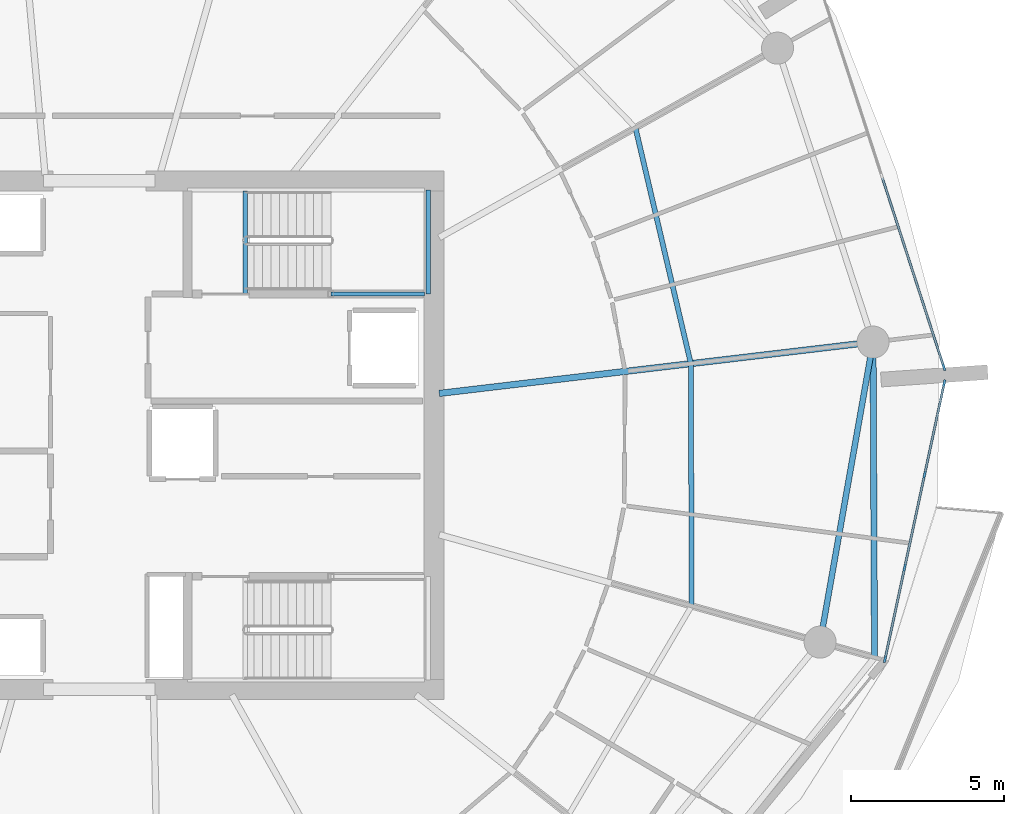
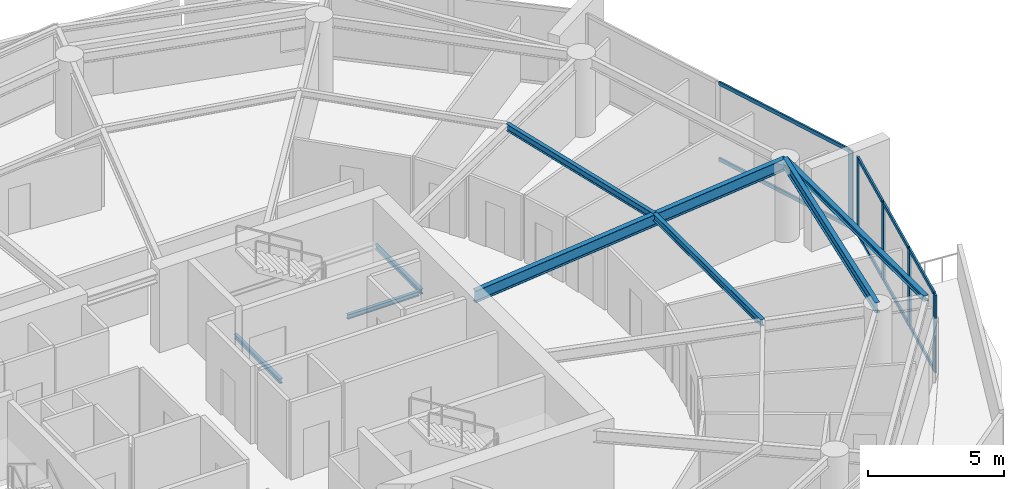
# One storey, part 7 of 20: 13 members, 8 beams, 2 elements without a shape of their own.
"""IFC4 building model written with IfcOpenShell, lengths in metres."""

from ifc_helpers import new_model, si_unit, direction, frame, origin, origin_2d, place, context, subcontext, project, spatial, rectangle, i_section, extrude, material, layer, layer_set, material_profile, profile_set, type_object, element, aggregate, save


model = new_model("IFC4")

# Units and contexts
model_context = context("Model", 3, precision=1e-05, world=origin(), true_north=direction((0.0, 1.0)))
body_context = subcontext(model_context, "Body", "Model", "MODEL_VIEW")
ifc_project = project(units=[si_unit("LENGTHUNIT", "METRE"), si_unit("AREAUNIT", "SQUARE_METRE"), si_unit("VOLUMEUNIT", "CUBIC_METRE"), si_unit("PLANEANGLEUNIT", "RADIAN"), si_unit("MASSUNIT", "GRAM", prefix="KILO")], contexts=[model_context])

# Site, building, storey
site_placement = place(None, origin())
site = spatial("IfcSite", under=ifc_project, at=site_placement, CompositionType="ELEMENT")
building_placement = place(site_placement, origin())
building = spatial("IfcBuilding", under=site, at=building_placement, Name="Kazma Halo Residences", CompositionType="ELEMENT")
storey_placement = place(building_placement, frame((0.0, 0.0, 217.800048828125)))
storey = spatial("IfcBuildingStorey", under=building, at=storey_placement, Name="L55", CompositionType="ELEMENT", Elevation=217.800048828125)

# Beams
ifc_material_1 = material(Name="Steel S355", Category="steel")
ifc_material_profile_1 = material_profile(ifc_material_1, i_section(OverallWidth=0.201904296875, OverallDepth=0.2470703125, WebThickness=0.00732421875, FlangeThickness=0.010986328125, FilletRadius=0.011962890625, at=origin_2d()), Name="W250x49.1")
ifc_profile_set_1 = profile_set([ifc_material_profile_1], Name="Steel S355")
beam_type_1 = type_object("IfcBeamType", Name="BM-BAL-CANT", PredefinedType="BEAM", material=ifc_profile_set_1)
beam_1_placement = place(storey_placement, frame((73.80029296875, 34.723388671875, 3.37646484375), z_axis=(-0.004705663334, 0.999988928305, 0.0), x_axis=(-0.999988928305, -0.004705663334, 0.0)))
element("IfcBeam", 1, at=beam_1_placement, inside=storey, type_object=beam_type_1, Name="L55 wave-balcony tie beam 15", PredefinedType="BEAM", context=body_context, shape_type="SweptSolid", body=[
    extrude(i_section(OverallWidth=0.201904296875, OverallDepth=0.2470703125, WebThickness=0.00732421875, FlangeThickness=0.010986328125, FilletRadius=0.011962890625, at=origin_2d()), origin(), (0.0, 0.0, 1.0), 10.324462890625),
])
ifc_material_profile_2 = material_profile(ifc_material_1, i_section(OverallWidth=0.208984375, OverallDepth=0.532958984375, WebThickness=0.01025390625, FlangeThickness=0.015625, FilletRadius=0.01611328125, at=origin_2d()), Name="W530x92")
ifc_profile_set_2 = profile_set([ifc_material_profile_2], Name="Steel S355")
beam_type_2 = type_object("IfcBeamType", Name="BM-RAD-W530", PredefinedType="BEAM", material=ifc_profile_set_2)
beam_2_placement = place(storey_placement, frame((59.550048828125, 43.366943359375, 3.2333984375), z_axis=(0.993068204292, 0.117539532174, 0.0), x_axis=(-0.117539532174, 0.993068204292, 0.0)))
element("IfcBeam", 2, at=beam_2_placement, inside=storey, type_object=beam_type_2, Name="L55 radial floor beam 16", PredefinedType="BEAM", context=body_context, shape_type="SweptSolid", body=[
    extrude(i_section(OverallWidth=0.208984375, OverallDepth=0.532958984375, WebThickness=0.01025390625, FlangeThickness=0.015625, FilletRadius=0.01611328125, at=origin_2d()), origin(), (0.0, 0.0, 1.0), 14.30078125),
])
ifc_material_profile_3 = material_profile(ifc_material_1, i_section(OverallWidth=0.1650390625, OverallDepth=0.31005859375, WebThickness=0.005859375, FlangeThickness=0.009765625, FilletRadius=0.011962890625, at=origin_2d()), Name="W310x38.7")
ifc_profile_set_3 = profile_set([ifc_material_profile_3], Name="Steel S355")
beam_type_3 = type_object("IfcBeamType", Name="BM-SEC-W310B", PredefinedType="JOIST", material=ifc_profile_set_3)
beam_3_placement = place(storey_placement, frame((67.815185546875, 36.41162109375, 3.344970703125), z_axis=(-0.003540400199, 0.999993732764, 0.0), x_axis=(-0.999993732764, -0.003540400199, 0.0)))
element("IfcBeam", 3, at=beam_3_placement, inside=storey, type_object=beam_type_3, Name="L55 circumferential floor joist 15", PredefinedType="JOIST", context=body_context, shape_type="SweptSolid", body=[
    extrude(i_section(OverallWidth=0.1650390625, OverallDepth=0.31005859375, WebThickness=0.005859375, FlangeThickness=0.009765625, FilletRadius=0.011962890625, at=origin_2d()), origin(), (0.0, 0.0, 1.0), 7.93017578125),
])
beam_4_placement = place(storey_placement, frame((67.787109375, 44.341796875, 3.344970703125), z_axis=(-0.228572787048, 0.973526826041, 0.0), x_axis=(-0.973526826041, -0.228572787048, 0.0)))
element("IfcBeam", 4, at=beam_4_placement, inside=storey, type_object=beam_type_3, Name="L55 circumferential floor joist 16", PredefinedType="JOIST", context=body_context, shape_type="SweptSolid", body=[
    extrude(i_section(OverallWidth=0.1650390625, OverallDepth=0.31005859375, WebThickness=0.005859375, FlangeThickness=0.009765625, FilletRadius=0.011962890625, at=origin_2d()), origin(), (0.0, 0.0, 1.0), 7.933837890625),
])
ifc_material_profile_4 = material_profile(ifc_material_1, i_section(OverallWidth=0.18994140625, OverallDepth=0.45703125, WebThickness=0.009033203125, FlangeThickness=0.014404296875, FilletRadius=0.01611328125, at=origin_2d()), Name="W460x74")
ifc_profile_set_4 = profile_set([ifc_material_profile_4], Name="Steel S355")
beam_type_4 = type_object("IfcBeamType", Name="BM-SPN-W460", PredefinedType="BEAM", material=ifc_profile_set_4)
beam_5_placement = place(storey_placement, frame((72.019775390625, 35.2255859375, 3.271484375), z_axis=(0.173648484202, 0.984807698962, 0.0), x_axis=(-0.984807698962, 0.173648484202, 0.0)))
element("IfcBeam", 5, at=beam_5_placement, inside=storey, type_object=beam_type_4, Name="L55 perimeter ring beam 15", PredefinedType="BEAM", context=body_context, shape_type="SweptSolid", body=[
    extrude(i_section(OverallWidth=0.18994140625, OverallDepth=0.45703125, WebThickness=0.009033203125, FlangeThickness=0.014404296875, FilletRadius=0.01611328125, at=origin_2d()), origin(), (0.0, 0.0, 1.0), 9.973876953125),
])
ifc_material_profile_5 = material_profile(ifc_material_1, i_section(OverallWidth=0.133056640625, OverallDepth=0.20703125, WebThickness=0.005859375, FlangeThickness=0.00830078125, FilletRadius=0.010009765625, at=origin_2d()), Name="W200x26.6")
ifc_profile_set_5 = profile_set([ifc_material_profile_5], Name="Steel S355")
beam_type_5 = type_object("IfcBeamType", Name="BM-TRIM-W200", PredefinedType="BEAM", material=ifc_profile_set_5)
beam_6_placement = place(storey_placement, frame((53.199951171875, 46.6201171875, -0.360107421875), z_axis=(0.0, 1.0, 0.0), x_axis=(-1.0, 0.0, 0.0)))
element("IfcBeam", 6, at=beam_6_placement, inside=storey, type_object=beam_type_5, Name="L55 ST-02 floor landing support beam", PredefinedType="BEAM", context=body_context, shape_type="SweptSolid", body=[
    extrude(i_section(OverallWidth=0.133056640625, OverallDepth=0.20703125, WebThickness=0.005859375, FlangeThickness=0.00830078125, FilletRadius=0.010009765625, at=origin_2d()), origin(), (0.0, 0.0, 1.0), 3.3798828125),
])
beam_7_placement = place(storey_placement, frame((56.0, 46.6201171875, 1.570068359375), z_axis=(1.0, 0.0, 0.0), x_axis=(0.0, 1.0, 0.0)))
element("IfcBeam", 7, at=beam_7_placement, inside=storey, type_object=beam_type_5, Name="L55 ST-02 landing south wall ledger", PredefinedType="BEAM", context=body_context, shape_type="SweptSolid", body=[
    extrude(i_section(OverallWidth=0.133056640625, OverallDepth=0.20703125, WebThickness=0.005859375, FlangeThickness=0.00830078125, FilletRadius=0.010009765625, at=origin_2d()), origin(), (0.0, 0.0, 1.0), 3.070068359375),
])
beam_8_placement = place(storey_placement, frame((59.18994140625, 46.6201171875, 1.570068359375), z_axis=(0.0, 1.0, 0.0), x_axis=(-1.0, 0.0, 0.0)))
element("IfcBeam", 8, at=beam_8_placement, inside=storey, type_object=beam_type_5, Name="L55 ST-02 landing end wall ledger", PredefinedType="BEAM", context=body_context, shape_type="SweptSolid", body=[
    extrude(i_section(OverallWidth=0.133056640625, OverallDepth=0.20703125, WebThickness=0.005859375, FlangeThickness=0.00830078125, FilletRadius=0.010009765625, at=origin_2d()), origin(), (0.0, 0.0, 1.0), 3.39990234375),
])

# Curtain wall, members
ifc_material_2 = material(Name="Aluminium AW-6063 T6 and Triple-Silver Low-E Glass", Category="aluminium")
ifc_layer = layer(ifc_material_2, 0.219970703125)
ifc_layer_set = layer_set([ifc_layer], Name="Aluminium AW-6063 T6 and Triple-Silver Low-E Glass")
curtain_wall_type = type_object("IfcCurtainWallType", Name="CW-SYS-4", PredefinedType="NOTDEFINED", material=ifc_layer_set)
curtain_wall_1_placement = place(storey_placement, origin())
curtain_wall_1 = element("IfcCurtainWall", 9, at=curtain_wall_1_placement, inside=storey, type_object=curtain_wall_type, Name="L55 unitised curtain wall B15", PredefinedType="NOTDEFINED")
ifc_material_3 = material(Name="Aluminium AW-6063 T6", Category="aluminium")
ifc_material_profile_6 = material_profile(ifc_material_3, rectangle(XDim=0.074951171875, YDim=0.219970703125, at=origin_2d()), Name="CWM-75x220")
ifc_profile_set_6 = profile_set([ifc_material_profile_6], Name="Aluminium AW-6063 T6")
member_type_1 = type_object("IfcMemberType", Name="CW-SYS-4-MUL", PredefinedType="MULLION", material=ifc_profile_set_6)
member_1_placement = place(storey_placement, frame((74.1435546875, 34.665771484375, 0.0), z_axis=(0.0, 0.0, 1.0), x_axis=(-0.977768017212, 0.209689543175, 0.0)))
member_1 = element("IfcMember", 10, at=member_1_placement, type_object=member_type_1, Name="CWS-4 mullion 1", PredefinedType="MULLION", context=body_context, shape_type="SweptSolid", body=[
    extrude(rectangle(XDim=0.074951171875, YDim=0.219970703125, at=origin_2d()), origin(), (0.0, 0.0, 1.0), 3.5),
])
member_2_placement = place(storey_placement, frame((74.787109375, 37.6669921875, 0.0), z_axis=(0.0, 0.0, 1.0), x_axis=(-0.977768017212, 0.209689543175, 0.0)))
member_2 = element("IfcMember", 11, at=member_2_placement, type_object=member_type_1, Name="CWS-4 mullion 2", PredefinedType="MULLION", context=body_context, shape_type="SweptSolid", body=[
    extrude(rectangle(XDim=0.074951171875, YDim=0.219970703125, at=origin_2d()), origin(), (0.0, 0.0, 1.0), 3.5),
])
member_3_placement = place(storey_placement, frame((75.438720703125, 40.704833984375, 0.0), z_axis=(0.0, 0.0, 1.0), x_axis=(-0.977768017212, 0.209689543175, 0.0)))
member_3 = element("IfcMember", 12, at=member_3_placement, type_object=member_type_1, Name="CWS-4 mullion 3", PredefinedType="MULLION", context=body_context, shape_type="SweptSolid", body=[
    extrude(rectangle(XDim=0.074951171875, YDim=0.219970703125, at=origin_2d()), origin(), (0.0, 0.0, 1.0), 3.5),
])
member_4_placement = place(storey_placement, frame((76.082275390625, 43.7060546875, 0.0), z_axis=(0.0, 0.0, 1.0), x_axis=(-0.977768017212, 0.209689543175, 0.0)))
member_4 = element("IfcMember", 13, at=member_4_placement, type_object=member_type_1, Name="CWS-4 mullion 4", PredefinedType="MULLION", context=body_context, shape_type="SweptSolid", body=[
    extrude(rectangle(XDim=0.074951171875, YDim=0.219970703125, at=origin_2d()), origin(), (0.0, 0.0, 1.0), 3.5),
])

# Curtain wall, member
curtain_wall_2_placement = place(storey_placement, origin())
curtain_wall_2 = element("IfcCurtainWall", 14, at=curtain_wall_2_placement, inside=storey, type_object=curtain_wall_type, Name="L55 unitised curtain wall B16", PredefinedType="NOTDEFINED")
member_5_placement = place(storey_placement, frame((76.0712890625, 44.22119140625, 0.0), z_axis=(0.0, 0.0, 1.0), x_axis=(-0.951056893636, -0.309015833038, 0.0)))
member_5 = element("IfcMember", 15, at=member_5_placement, type_object=member_type_1, Name="CWS-4 mullion 1", PredefinedType="MULLION", context=body_context, shape_type="SweptSolid", body=[
    extrude(rectangle(XDim=0.074951171875, YDim=0.219970703125, at=origin_2d()), origin(), (0.0, 0.0, 1.0), 3.5),
])

# Member
ifc_material_profile_7 = material_profile(ifc_material_3, rectangle(XDim=0.074951171875, YDim=0.1650390625, at=origin_2d()), Name="CWT-75x165")
ifc_profile_set_7 = profile_set([ifc_material_profile_7], Name="Aluminium AW-6063 T6")
member_type_2 = type_object("IfcMemberType", Name="CW-SYS-4-TRN", PredefinedType="USERDEFINED", material=ifc_profile_set_7)
member_6_placement = place(storey_placement, frame((74.1513671875, 34.702392578125, 0.037353515625), z_axis=(0.209707268418, 0.977764215735, 0.0), x_axis=(-0.977764215735, 0.209707268418, 0.0)))
member_6 = element("IfcMember", 16, at=member_6_placement, type_object=member_type_2, Name="CWS-4 transom 1.1", ObjectType="TRANSOM", PredefinedType="USERDEFINED", context=body_context, shape_type="SweptSolid", body=[
    extrude(rectangle(XDim=0.074951171875, YDim=0.1650390625, at=origin_2d()), origin(), (0.0, 0.0, 1.0), 2.994384765625),
])

member_7_placement = place(storey_placement, frame((74.1513671875, 34.702392578125, 3.46240234375), z_axis=(0.209707268418, 0.977764215735, 0.0), x_axis=(-0.977764215735, 0.209707268418, 0.0)))
member_7 = element("IfcMember", 17, at=member_7_placement, type_object=member_type_2, Name="CWS-4 transom 1.2", ObjectType="TRANSOM", PredefinedType="USERDEFINED", context=body_context, shape_type="SweptSolid", body=[
    extrude(rectangle(XDim=0.074951171875, YDim=0.1650390625, at=origin_2d()), origin(), (0.0, 0.0, 1.0), 2.994384765625),
])

member_8_placement = place(storey_placement, frame((74.794921875, 37.70361328125, 0.037353515625), z_axis=(0.209677559804, 0.977770587057, 0.0), x_axis=(-0.977770587057, 0.209677559804, 0.0)))
member_8 = element("IfcMember", 18, at=member_8_placement, type_object=member_type_2, Name="CWS-4 transom 2.1", ObjectType="TRANSOM", PredefinedType="USERDEFINED", context=body_context, shape_type="SweptSolid", body=[
    extrude(rectangle(XDim=0.074951171875, YDim=0.1650390625, at=origin_2d()), origin(), (0.0, 0.0, 1.0), 3.031982421875),
])

member_9_placement = place(storey_placement, frame((74.794921875, 37.70361328125, 3.46240234375), z_axis=(0.209677559804, 0.977770587057, 0.0), x_axis=(-0.977770587057, 0.209677559804, 0.0)))
member_9 = element("IfcMember", 19, at=member_9_placement, type_object=member_type_2, Name="CWS-4 transom 2.2", ObjectType="TRANSOM", PredefinedType="USERDEFINED", context=body_context, shape_type="SweptSolid", body=[
    extrude(rectangle(XDim=0.074951171875, YDim=0.1650390625, at=origin_2d()), origin(), (0.0, 0.0, 1.0), 3.031982421875),
])

member_10_placement = place(storey_placement, frame((75.446533203125, 40.741455078125, 0.037353515625), z_axis=(0.209690551496, 0.97776780097, 0.0), x_axis=(-0.97776780097, 0.209690551496, 0.0)))
member_10 = element("IfcMember", 20, at=member_10_placement, type_object=member_type_2, Name="CWS-4 transom 3.1", ObjectType="TRANSOM", PredefinedType="USERDEFINED", context=body_context, shape_type="SweptSolid", body=[
    extrude(rectangle(XDim=0.074951171875, YDim=0.1650390625, at=origin_2d()), origin(), (0.0, 0.0, 1.0), 2.99462890625),
])

member_11_placement = place(storey_placement, frame((75.446533203125, 40.741455078125, 3.46240234375), z_axis=(0.209690551496, 0.97776780097, 0.0), x_axis=(-0.97776780097, 0.209690551496, 0.0)))
member_11 = element("IfcMember", 21, at=member_11_placement, type_object=member_type_2, Name="CWS-4 transom 3.2", ObjectType="TRANSOM", PredefinedType="USERDEFINED", context=body_context, shape_type="SweptSolid", body=[
    extrude(rectangle(XDim=0.074951171875, YDim=0.1650390625, at=origin_2d()), origin(), (0.0, 0.0, 1.0), 2.99462890625),
])

aggregate(curtain_wall_1, [member_1, member_2, member_3, member_4, member_6, member_7, member_8, member_9, member_10, member_11])

member_12_placement = place(storey_placement, frame((76.0595703125, 44.2568359375, 0.037353515625), z_axis=(-0.30902650142, 0.951053427217, 0.0), x_axis=(-0.951053427217, -0.30902650142, 0.0)))
member_12 = element("IfcMember", 22, at=member_12_placement, type_object=member_type_2, Name="CWS-4 transom 1.1", ObjectType="TRANSOM", PredefinedType="USERDEFINED", context=body_context, shape_type="SweptSolid", body=[
    extrude(rectangle(XDim=0.074951171875, YDim=0.1650390625, at=origin_2d()), origin(), (0.0, 0.0, 1.0), 6.487060546875),
])

member_13_placement = place(storey_placement, frame((76.0595703125, 44.2568359375, 3.46240234375), z_axis=(-0.30902650142, 0.951053427217, 0.0), x_axis=(-0.951053427217, -0.30902650142, 0.0)))
member_13 = element("IfcMember", 23, at=member_13_placement, type_object=member_type_2, Name="CWS-4 transom 1.2", ObjectType="TRANSOM", PredefinedType="USERDEFINED", context=body_context, shape_type="SweptSolid", body=[
    extrude(rectangle(XDim=0.074951171875, YDim=0.1650390625, at=origin_2d()), origin(), (0.0, 0.0, 1.0), 6.487060546875),
])

aggregate(curtain_wall_2, [member_5, member_12, member_13])

save(model, "model.ifc")
